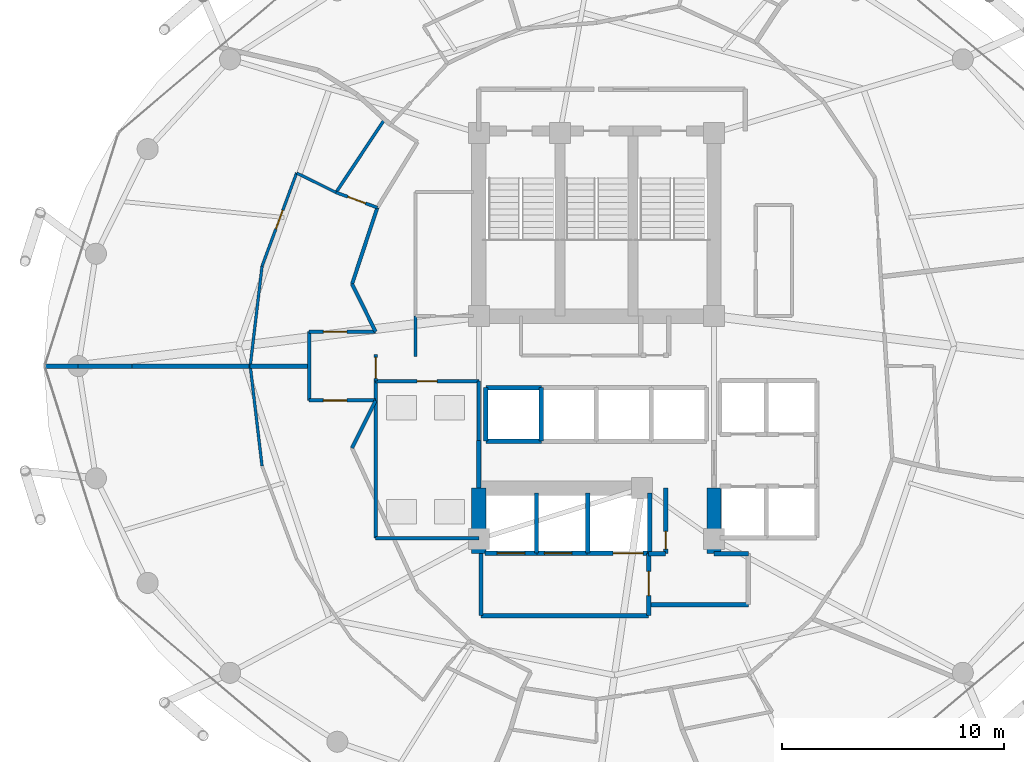
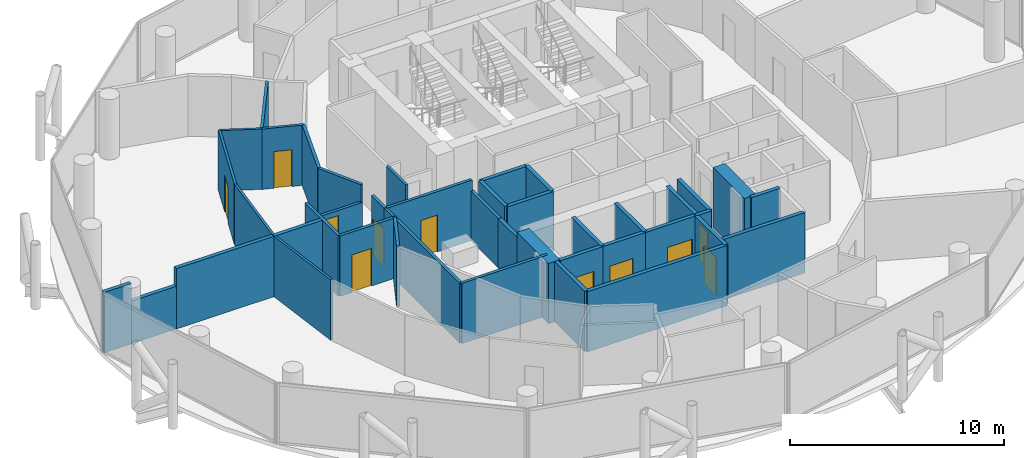
# One storey, part 22 of 26: 42 walls, 11 doors, 11 openings.
"""IFC4 building model written with IfcOpenShell, lengths in metres."""

from ifc_helpers import new_model, si_unit, direction, frame, frame_2d, origin, place, context, subcontext, project, spatial, rectangle, extrude, material, layer, layer_set, type_object, element, fill, save


model = new_model("IFC4")

# Units and contexts
model_context = context("Model", 3, precision=1e-05, world=origin(), true_north=direction((0.0, 1.0)))
body_context = subcontext(model_context, "Body", "Model", "MODEL_VIEW")
ifc_project = project(units=[si_unit("LENGTHUNIT", "METRE"), si_unit("AREAUNIT", "SQUARE_METRE"), si_unit("VOLUMEUNIT", "CUBIC_METRE"), si_unit("PLANEANGLEUNIT", "RADIAN"), si_unit("MASSUNIT", "GRAM", prefix="KILO")], contexts=[model_context])

# Site, building, storey
site_placement = place(None, origin())
site = spatial("IfcSite", under=ifc_project, at=site_placement, CompositionType="ELEMENT")
building_placement = place(site_placement, origin())
building = spatial("IfcBuilding", under=site, at=building_placement, Name="Nuhasar Tower", CompositionType="ELEMENT")
storey_placement = place(building_placement, frame((0.0, 0.0, 118.25)))
storey = spatial("IfcBuildingStorey", under=building, at=storey_placement, Name="L27", CompositionType="ELEMENT", Elevation=118.25)

# Walls
ifc_material_1 = material(Name="Concrete C65/80", Category="concrete")
ifc_layer_1 = layer(ifc_material_1, 0.64990234375)
ifc_layer_set_1 = layer_set([ifc_layer_1], Name="Concrete C65/80")
wall_type_1 = type_object("IfcWallType", Name="WL-CORE-650", PredefinedType="SHEAR", material=ifc_layer_set_1)
for number, where, z_axis, x_axis, name in (
    (1, (33.699951171875, 18.35009765625, 0.0), (0.0, 0.0, 1.0), (0.0, 1.0, 0.0), "L27 Core Shear Wall CW-SW CW-650"),
    (2, (44.300048828125, 18.35009765625, 0.0), (0.0, 0.0, 1.0), (0.0, 1.0, 0.0), "L27 Core Shear Wall CW-SE CW-650"),
):
    element("IfcWall", number, at=place(storey_placement, frame(where, z_axis=z_axis, x_axis=x_axis)), inside=storey, type_object=wall_type_1, Name=name, PredefinedType="SHEAR", context=body_context, shape_type="SweptSolid", body=[
        extrude(rectangle(XDim=2.949951171875, YDim=0.64990234375, at=frame_2d((1.47509765625, 0.0))), origin(), (0.0, 0.0, 1.0), 3.449951171875),
    ])
ifc_material_2 = material(Name="Gypsum Board", Category="gypsum")
ifc_layer_2 = layer(ifc_material_2, 0.159912109375)
ifc_layer_set_2 = layer_set([ifc_layer_2], Name="Gypsum Board")
wall_type_2 = type_object("IfcWallType", Name="WL-CORR-160", PredefinedType="PARTITIONING", material=ifc_layer_set_2)
wall_1_placement = place(storey_placement, frame((29.050048828125, 19.050048828125, 0.0), z_axis=(0.0, 0.0, 1.0), x_axis=(1.0, 0.0, 0.0)))
element("IfcWall", 3, at=wall_1_placement, inside=storey, type_object=wall_type_2, Name="L27 Interior Partition RECL-B1-S", PredefinedType="PARTITIONING", context=body_context, shape_type="SweptSolid", body=[
    extrude(rectangle(XDim=4.64990234375, YDim=0.159912109375, at=frame_2d((2.324951171875, 0.0))), origin(), (0.0, 0.0, 1.0), 3.449951171875),
])
wall_2_placement = place(storey_placement, frame((29.050048828125, 19.050048828125, 0.0), z_axis=(0.0, 0.0, 1.0), x_axis=(0.0, 1.0, 0.0)))
element("IfcWall", 4, at=wall_2_placement, inside=storey, type_object=wall_type_2, Name="L27 Interior Partition RECL-B1-W", PredefinedType="PARTITIONING", context=body_context, shape_type="SweptSolid", body=[
    extrude(rectangle(XDim=7.070068359375, YDim=0.159912109375, at=frame_2d((3.53515625, 0.0))), origin(), (0.0, 0.0, 1.0), 3.449951171875),
])
wall_3_placement = place(storey_placement, frame((33.699951171875, 23.449951171875, 0.0), z_axis=(0.0, 0.0, 1.0), x_axis=(0.0, 1.0, 0.0)))
element("IfcWall", 5, at=wall_3_placement, inside=storey, type_object=wall_type_2, Name="L27 Interior Partition RECL-B1-E", PredefinedType="PARTITIONING", context=body_context, shape_type="SweptSolid", body=[
    extrude(rectangle(XDim=2.670166015625, YDim=0.159912109375, at=frame_2d((1.3349609375, 0.0))), origin(), (0.0, 0.0, 1.0), 2.8349609375),
])

# Wall, opening, door
wall_4_placement = place(storey_placement, frame((33.699951171875, 26.1201171875, 0.0), z_axis=(0.0, 0.0, 1.0), x_axis=(-1.0, 0.0, 0.0)))
wall_4 = element("IfcWall", 6, at=wall_4_placement, inside=storey, type_object=wall_type_2, Name="L27 Interior Partition RECL-B1-N", PredefinedType="PARTITIONING", context=body_context, shape_type="SweptSolid", body=[
    extrude(rectangle(XDim=4.64990234375, YDim=0.159912109375, at=frame_2d((2.324951171875, 0.0))), origin(), (0.0, 0.0, 1.0), 3.449951171875),
])
opening_1_placement = place(wall_4_placement, frame((1.875, 0.0, 0.0)))
opening_1 = element("IfcOpeningElement", 7, at=opening_1_placement, cuts=wall_4, Name="Opening DR-01", PredefinedType="OPENING", context=body_context, shape_type="SweptSolid", body=[
    extrude(rectangle(XDim=0.89990234375, YDim=2.10009765625, at=frame_2d((0.449951171875, 1.050048828125))), frame((0.0, 0.08984375, 0.0), z_axis=(0.0, -1.0, 0.0), x_axis=(1.0, 0.0, 0.0)), (0.0, 0.0, 1.0), 0.179931640625),
])
ifc_material_3 = material(Name="Timber Oak", Category="wood")
door_type_1 = type_object("IfcDoorType", Name="DR-ROOM-900", OperationType="NOTDEFINED", PredefinedType="DOOR", material=ifc_material_3)
door_1_placement = place(opening_1_placement, origin())
door_1 = element("IfcDoor", 8, at=door_1_placement, inside=storey, type_object=door_type_1, Name="L27 Butler Store Door", OperationType="SINGLE_SWING_RIGHT", OverallHeight=2.10009765625, OverallWidth=0.89990234375, PredefinedType="DOOR", context=body_context, shape_type="SweptSolid", body=[
    extrude(rectangle(XDim=0.89990234375, YDim=2.10009765625, at=frame_2d((0.449951171875, 1.050048828125))), frame((0.0, 0.02490234375, 0.0), z_axis=(0.0, -1.0, 0.0), x_axis=(1.0, 0.0, 0.0)), (0.0, 0.0, 1.0), 0.050048828125),
])
fill(opening_1, door_1)

wall_5_placement = place(storey_placement, frame((29.050048828125, 26.1201171875, 0.0), z_axis=(0.0, 0.0, 1.0), x_axis=(0.0, 1.0, 0.0)))
wall_5 = element("IfcWall", 9, at=wall_5_placement, inside=storey, type_object=wall_type_2, Name="L27 Interior Partition WVEST-E", PredefinedType="PARTITIONING", context=body_context, shape_type="SweptSolid", body=[
    extrude(rectangle(XDim=1.199951171875, YDim=0.159912109375, at=frame_2d((0.60009765625, 0.0))), origin(), (0.0, 0.0, 1.0), 3.449951171875),
])
opening_2_placement = place(wall_5_placement, frame((0.125, 0.0, 0.0)))
opening_2 = element("IfcOpeningElement", 10, at=opening_2_placement, cuts=wall_5, Name="Opening DO-01", PredefinedType="OPENING", context=body_context, shape_type="SweptSolid", body=[
    extrude(rectangle(XDim=0.949951171875, YDim=2.14990234375, at=frame_2d((0.47509765625, 1.074951171875))), frame((0.0, 0.08984375, 0.0), z_axis=(0.0, -1.0, 0.0), x_axis=(1.0, 0.0, 0.0)), (0.0, 0.0, 1.0), 0.179931640625),
])
door_type_2 = type_object("IfcDoorType", Name="DR-OFFICE-FD30-950", OperationType="NOTDEFINED", PredefinedType="DOOR", material=ifc_material_3)
door_2_placement = place(opening_2_placement, origin())
door_2 = element("IfcDoor", 11, at=door_2_placement, inside=storey, type_object=door_type_2, Name="L27 West Arrival Foyer Core Door", OperationType="SINGLE_SWING_RIGHT", OverallHeight=2.14990234375, OverallWidth=0.949951171875, PredefinedType="DOOR", context=body_context, shape_type="SweptSolid", body=[
    extrude(rectangle(XDim=0.949951171875, YDim=2.14990234375, at=frame_2d((0.47509765625, 1.074951171875))), frame((0.0, 0.02490234375, 0.0), z_axis=(0.0, -1.0, 0.0), x_axis=(1.0, 0.0, 0.0)), (0.0, 0.0, 1.0), 0.050048828125),
])
fill(opening_2, door_2)

# Wall
wall_6_placement = place(storey_placement, frame((29.126953125, 33.93994140625, 0.0), z_axis=(0.0, 0.0, 1.0), x_axis=(-0.313985571683, -0.949427754374, 0.0)))
element("IfcWall", 12, at=wall_6_placement, inside=storey, type_object=wall_type_2, Name="L27 Interior Partition HWEST-CORE-N-20", PredefinedType="PARTITIONING", context=body_context, shape_type="SweptSolid", body=[
    extrude(rectangle(XDim=3.627197265625, YDim=0.159912109375, at=frame_2d((1.8134765625, 0.0))), origin(), (0.0, 0.0, 1.0), 3.449951171875),
])

# Wall, opening, door
wall_7_placement = place(storey_placement, frame((26.050048828125, 28.35009765625, 0.0), z_axis=(0.0, 0.0, 1.0), x_axis=(1.0, 0.0, 0.0)))
wall_7 = element("IfcWall", 13, at=wall_7_placement, inside=storey, type_object=wall_type_2, Name="L27 Interior Partition WVEST-N", PredefinedType="PARTITIONING", context=body_context, shape_type="SweptSolid", body=[
    extrude(rectangle(XDim=3.0, YDim=0.159912109375, at=frame_2d((1.5, 0.0))), origin(), (0.0, 0.0, 1.0), 2.43994140625),
])
opening_3_placement = place(wall_7_placement, frame((0.64990234375, 0.0, 0.0)))
opening_3 = element("IfcOpeningElement", 14, at=opening_3_placement, cuts=wall_7, Name="Opening DU-01", PredefinedType="OPENING", context=body_context, shape_type="SweptSolid", body=[
    extrude(rectangle(XDim=1.050048828125, YDim=2.14990234375, at=frame_2d((0.52490234375, 1.074951171875))), frame((0.0, 0.08984375, 0.0), z_axis=(0.0, -1.0, 0.0), x_axis=(1.0, 0.0, 0.0)), (0.0, 0.0, 1.0), 0.179931640625),
])
door_type_3 = type_object("IfcDoorType", Name="DR-SUITE-FD60-1050", OperationType="NOTDEFINED", PredefinedType="DOOR", material=ifc_material_3)
door_3_placement = place(opening_3_placement, origin())
door_3 = element("IfcDoor", 15, at=door_3_placement, inside=storey, type_object=door_type_3, Name="L27 North-West Sunset Suite Entrance", OperationType="SINGLE_SWING_LEFT", OverallHeight=2.14990234375, OverallWidth=1.050048828125, PredefinedType="DOOR", context=body_context, shape_type="SweptSolid", body=[
    extrude(rectangle(XDim=1.050048828125, YDim=2.14990234375, at=frame_2d((0.52490234375, 1.074951171875))), frame((0.0, 0.02490234375, 0.0), z_axis=(0.0, -1.0, 0.0), x_axis=(1.0, 0.0, 0.0)), (0.0, 0.0, 1.0), 0.050048828125),
])
fill(opening_3, door_3)

wall_8_placement = place(storey_placement, frame((26.050048828125, 25.25, 0.0), z_axis=(0.0, 0.0, 1.0), x_axis=(1.0, 0.0, 0.0)))
wall_8 = element("IfcWall", 16, at=wall_8_placement, inside=storey, type_object=wall_type_2, Name="L27 Interior Partition WVEST-S", PredefinedType="PARTITIONING", context=body_context, shape_type="SweptSolid", body=[
    extrude(rectangle(XDim=3.0, YDim=0.159912109375, at=frame_2d((1.5, 0.0))), origin(), (0.0, 0.0, 1.0), 3.449951171875),
])
opening_4_placement = place(wall_8_placement, frame((0.64990234375, 0.0, 0.0)))
opening_4 = element("IfcOpeningElement", 17, at=opening_4_placement, cuts=wall_8, Name="Opening DU-01", PredefinedType="OPENING", context=body_context, shape_type="SweptSolid", body=[
    extrude(rectangle(XDim=1.050048828125, YDim=2.14990234375, at=frame_2d((0.52490234375, 1.074951171875))), frame((0.0, 0.08984375, 0.0), z_axis=(0.0, -1.0, 0.0), x_axis=(1.0, 0.0, 0.0)), (0.0, 0.0, 1.0), 0.179931640625),
])
door_4_placement = place(opening_4_placement, origin())
door_4 = element("IfcDoor", 18, at=door_4_placement, inside=storey, type_object=door_type_3, Name="L27 South-West Presidential Suite Entrance", OperationType="SINGLE_SWING_LEFT", OverallHeight=2.14990234375, OverallWidth=1.050048828125, PredefinedType="DOOR", context=body_context, shape_type="SweptSolid", body=[
    extrude(rectangle(XDim=1.050048828125, YDim=2.14990234375, at=frame_2d((0.52490234375, 1.074951171875))), frame((0.0, 0.02490234375, 0.0), z_axis=(0.0, -1.0, 0.0), x_axis=(1.0, 0.0, 0.0)), (0.0, 0.0, 1.0), 0.050048828125),
])
fill(opening_4, door_4)

# Walls
wall_9_placement = place(storey_placement, frame((26.050048828125, 25.25, 0.0), z_axis=(0.0, 0.0, 1.0), x_axis=(0.0, 1.0, 0.0)))
element("IfcWall", 19, at=wall_9_placement, inside=storey, type_object=wall_type_2, Name="L27 Interior Partition WVEST-W", PredefinedType="PARTITIONING", context=body_context, shape_type="SweptSolid", body=[
    extrude(rectangle(XDim=3.10009765625, YDim=0.159912109375, at=frame_2d((1.550048828125, 0.0))), origin(), (0.0, 0.0, 1.0), 3.449951171875),
])
for number, where, z_axis, x_axis, name in (
    (20, (27.988037109375, 30.49609375, 0.0), (0.0, 0.0, 1.0), (0.443539160525, -0.896254993337, 0.0), "L27 Interior Partition WVEST-CN"),
    (21, (27.988037109375, 23.10400390625, 0.0), (0.0, 0.0, 1.0), (0.443539160525, 0.896254993337, 0.0), "L27 Interior Partition WVEST-CS"),
):
    element("IfcWall", number, at=place(storey_placement, frame(where, z_axis=z_axis, x_axis=x_axis)), inside=storey, type_object=wall_type_2, Name=name, PredefinedType="PARTITIONING", context=body_context, shape_type="SweptSolid", body=[
        extrude(rectangle(XDim=2.394287109375, YDim=0.159912109375, at=frame_2d((1.197265625, 0.0))), origin(), (0.0, 0.0, 1.0), 3.449951171875),
    ])
ifc_material_4 = material(Name="Concrete C45/55", Category="concrete")
ifc_layer_3 = layer(ifc_material_4, 0.199951171875)
ifc_layer_set_3 = layer_set([ifc_layer_3], Name="Concrete C45/55")
wall_type_3 = type_object("IfcWallType", Name="WL-LOBBY-200", PredefinedType="SOLIDWALL", material=ifc_layer_set_3)
wall_10_placement = place(storey_placement, frame((33.699951171875, 21.300048828125, 0.0), z_axis=(0.0, 0.0, 1.0), x_axis=(0.0, 1.0, 0.0)))
element("IfcWall", 22, at=wall_10_placement, inside=storey, type_object=wall_type_3, Name="L27 Interior Partition LLBH-W", PredefinedType="SOLIDWALL", context=body_context, shape_type="SweptSolid", body=[
    extrude(rectangle(XDim=2.14990234375, YDim=0.199951171875, at=frame_2d((1.074951171875, 0.0))), origin(), (0.0, 0.0, 1.0), 2.8349609375),
])
wall_11_placement = place(storey_placement, frame((33.800048828125, 15.550048828125, 0.0), z_axis=(0.0, 0.0, 1.0), x_axis=(1.0, 0.0, 0.0)))
element("IfcWall", 23, at=wall_11_placement, inside=storey, type_object=wall_type_3, Name="L27 Interior Partition FFL-S", PredefinedType="SOLIDWALL", context=body_context, shape_type="SweptSolid", body=[
    extrude(rectangle(XDim=7.550048828125, YDim=0.199951171875, at=frame_2d((3.77490234375, 0.0))), origin(), (0.0, 0.0, 1.0), 3.449951171875),
])
wall_12_placement = place(storey_placement, frame((33.800048828125, 15.550048828125, 0.0), z_axis=(0.0, 0.0, 1.0), x_axis=(0.0, 1.0, 0.0)))
element("IfcWall", 24, at=wall_12_placement, inside=storey, type_object=wall_type_3, Name="L27 Interior Partition FFL-W", PredefinedType="SOLIDWALL", context=body_context, shape_type="SweptSolid", body=[
    extrude(rectangle(XDim=2.800048828125, YDim=0.199951171875, at=frame_2d((1.39990234375, 0.0))), origin(), (0.0, 0.0, 1.0), 3.449951171875),
])

# Wall, opening, door
wall_13_placement = place(storey_placement, frame((41.35009765625, 15.550048828125, 0.0), z_axis=(0.0, 0.0, 1.0), x_axis=(0.0, 1.0, 0.0)))
wall_13 = element("IfcWall", 25, at=wall_13_placement, inside=storey, type_object=wall_type_3, Name="L27 Interior Partition FFL-E", PredefinedType="SOLIDWALL", context=body_context, shape_type="SweptSolid", body=[
    extrude(rectangle(XDim=2.800048828125, YDim=0.199951171875, at=frame_2d((1.39990234375, 0.0))), origin(), (0.0, 0.0, 1.0), 3.449951171875),
])
opening_5_placement = place(wall_13_placement, frame((0.89990234375, 0.0, 0.0)))
opening_5 = element("IfcOpeningElement", 26, at=opening_5_placement, cuts=wall_13, Name="Opening DS-02", PredefinedType="OPENING", context=body_context, shape_type="SweptSolid", body=[
    extrude(rectangle(XDim=1.10009765625, YDim=2.14990234375, at=frame_2d((0.550048828125, 1.074951171875))), frame((0.0, 0.10986328125, 0.0), z_axis=(0.0, -1.0, 0.0), x_axis=(1.0, 0.0, 0.0)), (0.0, 0.0, 1.0), 0.219970703125),
])
ifc_material_5 = material(Name="Steel S355", Category="steel")
door_type_4 = type_object("IfcDoorType", Name="DR-FFL-FD120-1100", OperationType="NOTDEFINED", PredefinedType="DOOR", material=ifc_material_5)
door_5_placement = place(opening_5_placement, origin())
door_5 = element("IfcDoor", 27, at=door_5_placement, inside=storey, type_object=door_type_4, Name="L27 Firefighting Lobby Door", OperationType="SINGLE_SWING_RIGHT", OverallHeight=2.14990234375, OverallWidth=1.10009765625, PredefinedType="DOOR", context=body_context, shape_type="SweptSolid", body=[
    extrude(rectangle(XDim=1.10009765625, YDim=2.14990234375, at=frame_2d((0.550048828125, 1.074951171875))), frame((0.0, 0.02490234375, 0.0), z_axis=(0.0, -1.0, 0.0), x_axis=(1.0, 0.0, 0.0)), (0.0, 0.0, 1.0), 0.050048828125),
])
fill(opening_5, door_5)

# Walls
wall_14_placement = place(storey_placement, frame((41.35009765625, 16.050048828125, 0.0), z_axis=(0.0, 0.0, 1.0), x_axis=(1.0, 0.0, 0.0)))
element("IfcWall", 28, at=wall_14_placement, inside=storey, type_object=wall_type_3, Name="L27 Interior Partition SVLV-S", PredefinedType="SOLIDWALL", context=body_context, shape_type="SweptSolid", body=[
    extrude(rectangle(XDim=4.5, YDim=0.199951171875, at=frame_2d((2.25, 0.0))), origin(), (0.0, 0.0, 1.0), 3.449951171875),
])
wall_15_placement = place(storey_placement, frame((44.300048828125, 18.35009765625, 0.0), z_axis=(0.0, 0.0, 1.0), x_axis=(1.0, 0.0, 0.0)))
element("IfcWall", 29, at=wall_15_placement, inside=storey, type_object=wall_type_3, Name="L27 Interior Partition SVLV-N", PredefinedType="SOLIDWALL", context=body_context, shape_type="SweptSolid", body=[
    extrude(rectangle(XDim=1.550048828125, YDim=0.199951171875, at=frame_2d((0.77490234375, 0.0))), origin(), (0.0, 0.0, 1.0), 3.449951171875),
])
ifc_layer_4 = layer(ifc_material_2, 0.125)
ifc_layer_set_4 = layer_set([ifc_layer_4], Name="Gypsum Board")
wall_type_4 = type_object("IfcWallType", Name="WL-PART-125", PredefinedType="PARTITIONING", material=ifc_layer_set_4)
wall_16_placement = place(storey_placement, frame((27.264892578125, 34.625, 0.0), z_axis=(0.0, 0.0, 1.0), x_axis=(-0.896929858707, 0.442172849189, 0.0)))
element("IfcWall", 30, at=wall_16_placement, inside=storey, type_object=wall_type_4, Name="L27 Interior Partition HWS1-S", PredefinedType="PARTITIONING", context=body_context, shape_type="SweptSolid", body=[
    extrude(rectangle(XDim=1.978759765625, YDim=0.125, at=frame_2d((0.9892578125, 0.0))), origin(), (0.0, 0.0, 1.0), 3.449951171875),
])

# Wall, opening, door
wall_17_placement = place(storey_placement, frame((25.489990234375, 35.5, 0.0), z_axis=(0.0, 0.0, 1.0), x_axis=(-0.348031805078, -0.93748272659, 0.0)))
wall_17 = element("IfcWall", 31, at=wall_17_placement, inside=storey, type_object=wall_type_4, Name="L27 Interior Partition HWS1-ARC-20", PredefinedType="PARTITIONING", context=body_context, shape_type="SweptSolid", body=[
    extrude(rectangle(XDim=4.476806640625, YDim=0.125, at=frame_2d((2.23828125, 0.0))), origin(), (0.0, 0.0, 1.0), 3.449951171875),
])
opening_6_placement = place(wall_17_placement, frame((1.7880859375, 0.0, 0.0)))
opening_6 = element("IfcOpeningElement", 32, at=opening_6_placement, cuts=wall_17, Name="Opening DR-01", PredefinedType="OPENING", context=body_context, shape_type="SweptSolid", body=[
    extrude(rectangle(XDim=0.89990234375, YDim=2.10009765625, at=frame_2d((0.449951171875, 1.050048828125))), frame((0.0, 0.072509765625, 0.0), z_axis=(0.0, -1.0, 0.0), x_axis=(1.0, 0.0, 0.0)), (0.0, 0.0, 1.0), 0.14501953125),
])
door_6_placement = place(opening_6_placement, origin())
door_6 = element("IfcDoor", 33, at=door_6_placement, inside=storey, type_object=door_type_1, Name="L27 North-West Sunset Suite Bedroom Door", OperationType="SINGLE_SWING_LEFT", OverallHeight=2.10009765625, OverallWidth=0.89990234375, PredefinedType="DOOR", context=body_context, shape_type="SweptSolid", body=[
    extrude(rectangle(XDim=0.89990234375, YDim=2.10009765625, at=frame_2d((0.449951171875, 1.050048828125))), frame((0.0, 0.02490234375, 0.0), z_axis=(0.0, -1.0, 0.0), x_axis=(1.0, 0.0, 0.0)), (0.0, 0.0, 1.0), 0.050048828125),
])
fill(opening_6, door_6)

# Walls
for number, where, z_axis, x_axis, name in (
    (34, (23.931884765625, 31.302978515625, 0.0), (0.0, 0.0, 1.0), (-0.1173254596, -0.993093518522, 0.0), "L27 Interior Partition HWS1-ARC-22"),
    (35, (23.39990234375, 26.800048828125, 0.0), (0.0, 0.0, 1.0), (0.1173254596, -0.993093518522, 0.0), "L27 Interior Partition HWS2-ARC-24"),
):
    element("IfcWall", number, at=place(storey_placement, frame(where, z_axis=z_axis, x_axis=x_axis)), inside=storey, type_object=wall_type_4, Name=name, PredefinedType="PARTITIONING", context=body_context, shape_type="SweptSolid", body=[
        extrude(rectangle(XDim=4.5341796875, YDim=0.125, at=frame_2d((2.26708984375, 0.0))), origin(), (0.0, 0.0, 1.0), 3.449951171875),
    ])
ifc_layer_5 = layer(ifc_material_4, 0.199951171875)
ifc_layer_set_5 = layer_set([ifc_layer_5], Name="Concrete C45/55")
wall_type_5 = type_object("IfcWallType", Name="WL-SHAFT-200", PredefinedType="SOLIDWALL", material=ifc_layer_set_5)
for number, where, z_axis, x_axis, name in (
    (36, (34.02001953125, 23.419921875, 0.0), (0.0, 0.0, 1.0), (1.0, 0.0, 0.0), "L27 Interior Partition SHF-PL-H01-S"),
    (37, (34.02001953125, 25.830078125, 0.0), (0.0, 0.0, 1.0), (1.0, 0.0, 0.0), "L27 Interior Partition SHF-PL-H01-N"),
):
    element("IfcWall", number, at=place(storey_placement, frame(where, z_axis=z_axis, x_axis=x_axis)), inside=storey, type_object=wall_type_5, Name=name, PredefinedType="SOLIDWALL", context=body_context, shape_type="SweptSolid", body=[
        extrude(rectangle(XDim=2.5, YDim=0.199951171875, at=frame_2d((1.25, 0.0))), origin(), (0.0, 0.0, 1.0), 3.449951171875),
    ])
for number, where, z_axis, x_axis, name in (
    (38, (34.02001953125, 23.419921875, 0.0), (0.0, 0.0, 1.0), (0.0, 1.0, 0.0), "L27 Interior Partition SHF-PL-H01-W"),
    (39, (36.510009765625, 23.419921875, 0.0), (0.0, 0.0, 1.0), (0.0, 1.0, 0.0), "L27 Interior Partition SHF-PL-H01-E"),
):
    element("IfcWall", number, at=place(storey_placement, frame(where, z_axis=z_axis, x_axis=x_axis)), inside=storey, type_object=wall_type_5, Name=name, PredefinedType="SOLIDWALL", context=body_context, shape_type="SweptSolid", body=[
        extrude(rectangle(XDim=2.41015625, YDim=0.199951171875, at=frame_2d((1.205078125, 0.0))), origin(), (0.0, 0.0, 1.0), 3.449951171875),
    ])

# Wall, opening, door
wall_18_placement = place(storey_placement, frame((33.969970703125, 18.3701171875, 0.0), z_axis=(0.0, 0.0, 1.0), x_axis=(1.0, 0.0, 0.0)))
wall_18 = element("IfcWall", 40, at=wall_18_placement, inside=storey, type_object=wall_type_5, Name="L27 Interior Partition SHF-FFL-01-S", PredefinedType="SOLIDWALL", context=body_context, shape_type="SweptSolid", body=[
    extrude(rectangle(XDim=2.360107421875, YDim=0.199951171875, at=frame_2d((1.18017578125, 0.0))), origin(), (0.0, 0.0, 1.0), 3.449951171875),
])
opening_7_placement = place(wall_18_placement, frame((0.554931640625, 0.0, 0.0)))
opening_7 = element("IfcOpeningElement", 41, at=opening_7_placement, cuts=wall_18, Name="Opening LD-F01", PredefinedType="OPENING", context=body_context, shape_type="SweptSolid", body=[
    extrude(rectangle(XDim=1.25, YDim=2.199951171875, at=frame_2d((0.625, 1.10009765625))), frame((0.0, 0.10986328125, 0.0), z_axis=(0.0, -1.0, 0.0), x_axis=(1.0, 0.0, 0.0)), (0.0, 0.0, 1.0), 0.219970703125),
])
ifc_material_6 = material(Name="Stainless Steel 316L", Category="steel")
door_type_5 = type_object("IfcDoorType", Name="LD-FFL-1250", OperationType="DOUBLE_DOOR_SLIDING", PredefinedType="DOOR", material=ifc_material_6)
door_7_placement = place(opening_7_placement, origin())
door_7 = element("IfcDoor", 42, at=door_7_placement, inside=storey, type_object=door_type_5, Name="L27 Lift Landing Door FFL-01", OperationType="DOUBLE_DOOR_SLIDING", OverallHeight=2.199951171875, OverallWidth=1.25, PredefinedType="DOOR", context=body_context, shape_type="SweptSolid", body=[
    extrude(rectangle(XDim=1.25, YDim=2.199951171875, at=frame_2d((0.625, 1.10009765625))), frame((0.0, 0.02490234375, 0.0), z_axis=(0.0, -1.0, 0.0), x_axis=(1.0, 0.0, 0.0)), (0.0, 0.0, 1.0), 0.050048828125),
])
fill(opening_7, door_7)

# Wall
wall_19_placement = place(storey_placement, frame((36.300048828125, 18.3701171875, 0.0), z_axis=(0.0, 0.0, 1.0), x_axis=(0.0, 1.0, 0.0)))
element("IfcWall", 43, at=wall_19_placement, inside=storey, type_object=wall_type_5, Name="L27 Interior Partition SHF-FFL-01-E", PredefinedType="SOLIDWALL", context=body_context, shape_type="SweptSolid", body=[
    extrude(rectangle(XDim=2.7099609375, YDim=0.199951171875, at=frame_2d((1.35498046875, 0.0))), origin(), (0.0, 0.0, 1.0), 3.449951171875),
])

# Wall, opening, door
wall_20_placement = place(storey_placement, frame((36.27001953125, 18.3701171875, 0.0), z_axis=(0.0, 0.0, 1.0), x_axis=(1.0, 0.0, 0.0)))
wall_20 = element("IfcWall", 44, at=wall_20_placement, inside=storey, type_object=wall_type_5, Name="L27 Interior Partition SHF-FFL-02-S", PredefinedType="SOLIDWALL", context=body_context, shape_type="SweptSolid", body=[
    extrude(rectangle(XDim=2.35986328125, YDim=0.199951171875, at=frame_2d((1.179931640625, 0.0))), origin(), (0.0, 0.0, 1.0), 3.449951171875),
])
opening_8_placement = place(wall_20_placement, frame((0.3798828125, 0.0, 0.0)))
opening_8 = element("IfcOpeningElement", 45, at=opening_8_placement, cuts=wall_20, Name="Opening LD-F02", PredefinedType="OPENING", context=body_context, shape_type="SweptSolid", body=[
    extrude(rectangle(XDim=1.25, YDim=2.199951171875, at=frame_2d((0.625, 1.10009765625))), frame((0.0, 0.10986328125, 0.0), z_axis=(0.0, -1.0, 0.0), x_axis=(1.0, 0.0, 0.0)), (0.0, 0.0, 1.0), 0.219970703125),
])
door_8_placement = place(opening_8_placement, origin())
door_8 = element("IfcDoor", 46, at=door_8_placement, inside=storey, type_object=door_type_5, Name="L27 Lift Landing Door FFL-02", OperationType="DOUBLE_DOOR_SLIDING", OverallHeight=2.199951171875, OverallWidth=1.25, PredefinedType="DOOR", context=body_context, shape_type="SweptSolid", body=[
    extrude(rectangle(XDim=1.25, YDim=2.199951171875, at=frame_2d((0.625, 1.10009765625))), frame((0.0, 0.02490234375, 0.0), z_axis=(0.0, -1.0, 0.0), x_axis=(1.0, 0.0, 0.0)), (0.0, 0.0, 1.0), 0.050048828125),
])
fill(opening_8, door_8)

# Wall
wall_21_placement = place(storey_placement, frame((38.60009765625, 18.3701171875, 0.0), z_axis=(0.0, 0.0, 1.0), x_axis=(0.0, 1.0, 0.0)))
element("IfcWall", 47, at=wall_21_placement, inside=storey, type_object=wall_type_5, Name="L27 Interior Partition SHF-FFL-02-E", PredefinedType="SOLIDWALL", context=body_context, shape_type="SweptSolid", body=[
    extrude(rectangle(XDim=2.7099609375, YDim=0.199951171875, at=frame_2d((1.35498046875, 0.0))), origin(), (0.0, 0.0, 1.0), 3.449951171875),
])

# Wall, opening, door
wall_22_placement = place(storey_placement, frame((38.570068359375, 18.3701171875, 0.0), z_axis=(0.0, 0.0, 1.0), x_axis=(1.0, 0.0, 0.0)))
wall_22 = element("IfcWall", 48, at=wall_22_placement, inside=storey, type_object=wall_type_5, Name="L27 Interior Partition SHF-SVL-01-S", PredefinedType="SOLIDWALL", context=body_context, shape_type="SweptSolid", body=[
    extrude(rectangle(XDim=2.829833984375, YDim=0.199951171875, at=frame_2d((1.4150390625, 0.0))), origin(), (0.0, 0.0, 1.0), 3.449951171875),
])
opening_9_placement = place(wall_22_placement, frame((1.179931640625, 0.0, 0.0)))
opening_9 = element("IfcOpeningElement", 49, at=opening_9_placement, cuts=wall_22, Name="Opening LD-S01", PredefinedType="OPENING", context=body_context, shape_type="SweptSolid", body=[
    extrude(rectangle(XDim=1.35009765625, YDim=2.179931640625, at=frame_2d((0.675048828125, 1.08984375))), frame((0.0, 0.10986328125, 0.0), z_axis=(0.0, -1.0, 0.0), x_axis=(1.0, 0.0, 0.0)), (0.0, 0.0, 1.0), 0.219970703125),
])
door_type_6 = type_object("IfcDoorType", Name="LD-SVL-1350", OperationType="DOUBLE_DOOR_SLIDING", PredefinedType="DOOR", material=ifc_material_6)
door_9_placement = place(opening_9_placement, origin())
door_9 = element("IfcDoor", 50, at=door_9_placement, inside=storey, type_object=door_type_6, Name="L27 Lift Landing Door SVL-01", OperationType="DOUBLE_DOOR_SLIDING", OverallHeight=2.179931640625, OverallWidth=1.35009765625, PredefinedType="DOOR", context=body_context, shape_type="SweptSolid", body=[
    extrude(rectangle(XDim=1.35009765625, YDim=2.179931640625, at=frame_2d((0.675048828125, 1.08984375))), frame((0.0, 0.02490234375, 0.0), z_axis=(0.0, -1.0, 0.0), x_axis=(1.0, 0.0, 0.0)), (0.0, 0.0, 1.0), 0.050048828125),
])
fill(opening_9, door_9)

# Wall
wall_23_placement = place(storey_placement, frame((41.39990234375, 18.3701171875, 0.0), z_axis=(0.0, 0.0, 1.0), x_axis=(0.0, 1.0, 0.0)))
element("IfcWall", 51, at=wall_23_placement, inside=storey, type_object=wall_type_5, Name="L27 Interior Partition SHF-SVL-01-E", PredefinedType="SOLIDWALL", context=body_context, shape_type="SweptSolid", body=[
    extrude(rectangle(XDim=2.7099609375, YDim=0.199951171875, at=frame_2d((1.35498046875, 0.0))), origin(), (0.0, 0.0, 1.0), 3.449951171875),
])

# Wall, opening, door
wall_24_placement = place(storey_placement, frame((42.1201171875, 18.35009765625, 0.0), z_axis=(0.0, 0.0, 1.0), x_axis=(0.0, 1.0, 0.0)))
wall_24 = element("IfcWall", 52, at=wall_24_placement, inside=storey, type_object=wall_type_5, Name="L27 Interior Partition RSR-E", PredefinedType="SOLIDWALL", context=body_context, shape_type="SweptSolid", body=[
    extrude(rectangle(XDim=2.949951171875, YDim=0.199951171875, at=frame_2d((1.47509765625, 0.0))), origin(), (0.0, 0.0, 1.0), 3.449951171875),
])
opening_10_placement = place(wall_24_placement, frame((0.199951171875, 0.0, 0.0)))
opening_10 = element("IfcOpeningElement", 53, at=opening_10_placement, cuts=wall_24, Name="Opening DM-01", PredefinedType="OPENING", context=body_context, shape_type="SweptSolid", body=[
    extrude(rectangle(XDim=0.800048828125, YDim=2.050048828125, at=frame_2d((0.39990234375, 1.02490234375))), frame((0.0, 0.10986328125, 0.0), z_axis=(0.0, -1.0, 0.0), x_axis=(1.0, 0.0, 0.0)), (0.0, 0.0, 1.0), 0.219970703125),
])
door_type_7 = type_object("IfcDoorType", Name="DR-RISER-FD60-800", OperationType="NOTDEFINED", PredefinedType="DOOR", material=ifc_material_5)
door_10_placement = place(opening_10_placement, origin())
door_10 = element("IfcDoor", 54, at=door_10_placement, inside=storey, type_object=door_type_7, Name="L27 MEP Riser Access Door", OperationType="SINGLE_SWING_LEFT", OverallHeight=2.050048828125, OverallWidth=0.800048828125, PredefinedType="DOOR", context=body_context, shape_type="SweptSolid", body=[
    extrude(rectangle(XDim=0.800048828125, YDim=2.050048828125, at=frame_2d((0.39990234375, 1.02490234375))), frame((0.0, 0.02490234375, 0.0), z_axis=(0.0, -1.0, 0.0), x_axis=(1.0, 0.0, 0.0)), (0.0, 0.0, 1.0), 0.050048828125),
])
fill(opening_10, door_10)

# Walls
wall_25_placement = place(storey_placement, frame((41.35009765625, 18.35009765625, 0.0), z_axis=(0.0, 0.0, 1.0), x_axis=(1.0, 0.0, 0.0)))
element("IfcWall", 55, at=wall_25_placement, inside=storey, type_object=wall_type_5, Name="L27 Interior Partition RSR-S", PredefinedType="SOLIDWALL", context=body_context, shape_type="SweptSolid", body=[
    extrude(rectangle(XDim=0.77001953125, YDim=0.199951171875, at=frame_2d((0.385009765625, 0.0))), origin(), (0.0, 0.0, 1.0), 3.449951171875),
])
ifc_material_7 = material(Name="Concrete C40/50 precast", Category="concrete")
ifc_layer_6 = layer(ifc_material_7, 0.199951171875)
ifc_layer_set_6 = layer_set([ifc_layer_6], Name="Concrete C40/50 precast")
wall_type_6 = type_object("IfcWallType", Name="WL-UNIT-200", PredefinedType="PARTITIONING", material=ifc_layer_set_6)
wall_26_placement = place(storey_placement, frame((26.050048828125, 26.800048828125, 0.0), z_axis=(0.0, 0.0, 1.0), x_axis=(-1.0, 0.0, 0.0)))
element("IfcWall", 56, at=wall_26_placement, inside=storey, type_object=wall_type_6, Name="L27 Interior Partition HWEST-DIV-IN", PredefinedType="PARTITIONING", context=body_context, shape_type="SweptSolid", body=[
    extrude(rectangle(XDim=2.650146484375, YDim=0.199951171875, at=frame_2d((1.3251953125, 0.0))), origin(), (0.0, 0.0, 1.0), 3.449951171875),
])
wall_27_placement = place(storey_placement, frame((23.39990234375, 26.800048828125, 0.0), z_axis=(0.0, 0.0, 1.0), x_axis=(-1.0, 0.0, 0.0)))
element("IfcWall", 57, at=wall_27_placement, inside=storey, type_object=wall_type_6, Name="L27 Interior Partition HWEST-DIV-OUT", PredefinedType="PARTITIONING", context=body_context, shape_type="SweptSolid", body=[
    extrude(rectangle(XDim=5.326904296875, YDim=0.199951171875, at=frame_2d((2.66357421875, 0.0))), origin(), (0.0, 0.0, 1.0), 3.449951171875),
])
wall_28_placement = place(storey_placement, frame((18.072998046875, 26.800048828125, 0.0), z_axis=(0.0, 0.0, 1.0), x_axis=(-1.0, 0.0, 0.0)))
element("IfcWall", 58, at=wall_28_placement, inside=storey, type_object=wall_type_6, Name="L27 Interior Partition HWEST-DIV-OUT", PredefinedType="PARTITIONING", context=body_context, shape_type="SweptSolid", body=[
    extrude(rectangle(XDim=2.43505859375, YDim=0.199951171875, at=frame_2d((1.217529296875, 0.0))), origin(), (0.0, 0.0, 1.0), 2.43994140625),
])
wall_29_placement = place(storey_placement, frame((15.637939453125, 26.800048828125, 0.0), z_axis=(0.0, 0.0, 1.0), x_axis=(-1.0, 0.0, 0.0)))
element("IfcWall", 59, at=wall_29_placement, inside=storey, type_object=wall_type_6, Name="L27 Interior Partition HWEST-DIV-OUT", PredefinedType="PARTITIONING", context=body_context, shape_type="SweptSolid", body=[
    extrude(rectangle(XDim=1.462890625, YDim=0.199951171875, at=frame_2d((0.7314453125, 0.0))), origin(), (0.0, 0.0, 1.0), 3.449951171875),
])
ifc_layer_7 = layer(ifc_material_7, 0.139892578125)
ifc_layer_set_7 = layer_set([ifc_layer_7], Name="Concrete C40/50 precast")
wall_type_7 = type_object("IfcWallType", Name="WL-WET-140", PredefinedType="PARTITIONING", material=ifc_layer_set_7)
wall_30_placement = place(storey_placement, frame((30.85009765625, 27.239990234375, 0.0), z_axis=(0.0, 0.0, 1.0), x_axis=(0.0, 1.0, 0.0)))
element("IfcWall", 60, at=wall_30_placement, inside=storey, type_object=wall_type_7, Name="L27 Interior Partition K3-FOY-W", PredefinedType="PARTITIONING", context=body_context, shape_type="SweptSolid", body=[
    extrude(rectangle(XDim=1.81005859375, YDim=0.139892578125, at=frame_2d((0.905029296875, 0.0))), origin(), (0.0, 0.0, 1.0), 3.449951171875),
])

# Wall, opening, door
wall_31_placement = place(storey_placement, frame((27.264892578125, 34.625, 0.0), z_axis=(0.0, 0.0, 1.0), x_axis=(0.938500583084, -0.345277649945, 0.0)))
wall_31 = element("IfcWall", 61, at=wall_31_placement, inside=storey, type_object=wall_type_7, Name="L27 Interior Partition HBW1-S", PredefinedType="PARTITIONING", context=body_context, shape_type="SweptSolid", body=[
    extrude(rectangle(XDim=1.984130859375, YDim=0.139892578125, at=frame_2d((0.9921875, 0.0))), origin(), (0.0, 0.0, 1.0), 3.449951171875),
])
opening_11_placement = place(wall_31_placement, frame((0.56689453125, 0.0, 0.0)))
opening_11 = element("IfcOpeningElement", 62, at=opening_11_placement, cuts=wall_31, Name="Opening DB-01", PredefinedType="OPENING", context=body_context, shape_type="SweptSolid", body=[
    extrude(rectangle(XDim=0.85009765625, YDim=2.10009765625, at=frame_2d((0.425048828125, 1.050048828125))), frame((0.0, 0.080078125, 0.0), z_axis=(0.0, -1.0, 0.0), x_axis=(1.0, 0.0, 0.0)), (0.0, 0.0, 1.0), 0.159912109375),
])
door_type_8 = type_object("IfcDoorType", Name="DR-BATH-850", OperationType="NOTDEFINED", PredefinedType="DOOR", material=ifc_material_3)
door_11_placement = place(opening_11_placement, origin())
door_11 = element("IfcDoor", 63, at=door_11_placement, inside=storey, type_object=door_type_8, Name="L27 North-West Sunset Suite En-Suite Door", OperationType="SINGLE_SWING_RIGHT", OverallHeight=2.10009765625, OverallWidth=0.85009765625, PredefinedType="DOOR", context=body_context, shape_type="SweptSolid", body=[
    extrude(rectangle(XDim=0.85009765625, YDim=2.10009765625, at=frame_2d((0.425048828125, 1.050048828125))), frame((0.0, 0.02490234375, 0.0), z_axis=(0.0, -1.0, 0.0), x_axis=(1.0, 0.0, 0.0)), (0.0, 0.0, 1.0), 0.050048828125),
])
fill(opening_11, door_11)

# Wall
wall_32_placement = place(storey_placement, frame((29.4189453125, 37.865966796875, 0.0), z_axis=(0.0, 0.0, 1.0), x_axis=(-0.553526949376, -0.832831265212, 0.0)))
element("IfcWall", 64, at=wall_32_placement, inside=storey, type_object=wall_type_7, Name="L27 Interior Partition HBW1-E", PredefinedType="PARTITIONING", context=body_context, shape_type="SweptSolid", body=[
    extrude(rectangle(XDim=3.8916015625, YDim=0.139892578125, at=frame_2d((1.94580078125, 0.0))), origin(), (0.0, 0.0, 1.0), 3.449951171875),
])

save(model, "model.ifc")
